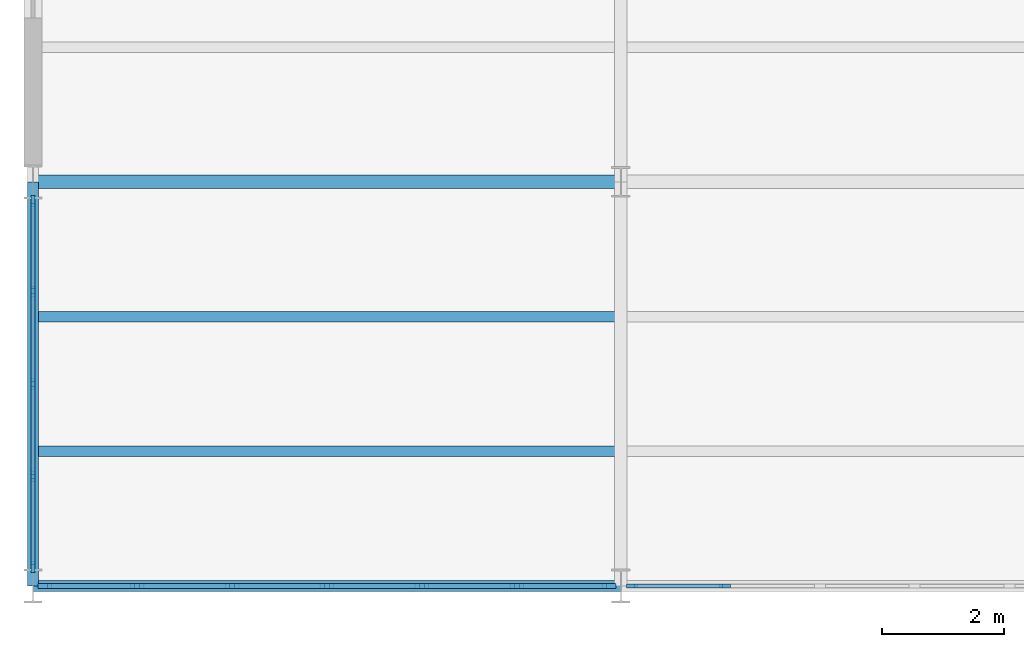
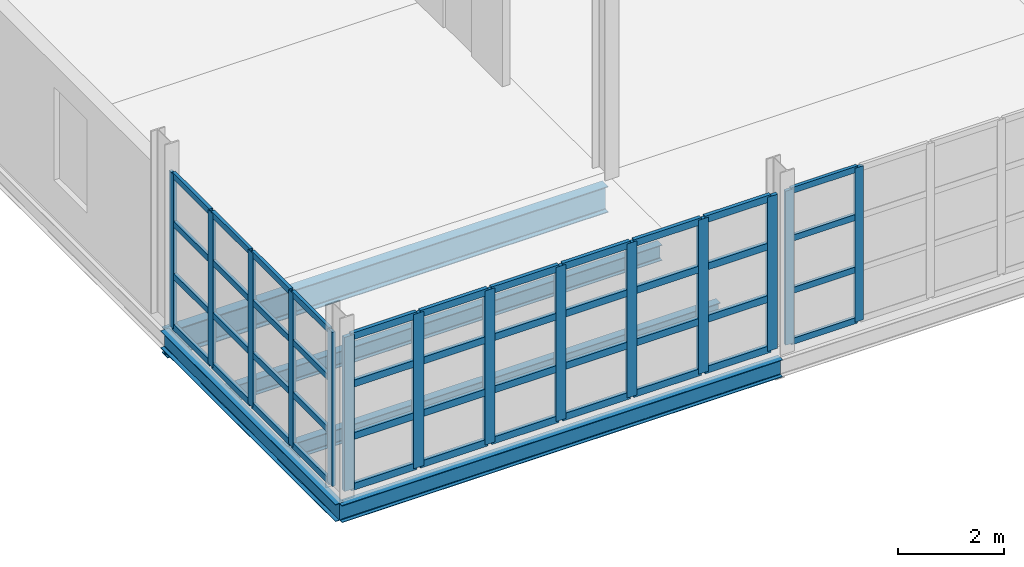
# One storey, part 12 of 82: 58 members, 5 beams, 3 elements without a shape of their own.
"""IFC4 building model written with IfcOpenShell, lengths in metres."""

from ifc_helpers import new_model, si_unit, direction, frame, origin, origin_2d, place, context, subcontext, project, spatial, rectangle, i_section, extrude, material, layer, layer_set, material_profile, profile_set, type_object, element, aggregate, save


model = new_model("IFC4")

# Units and contexts
model_context = context("Model", 3, precision=1e-05, world=origin(), true_north=direction((0.0, 1.0)))
body_context = subcontext(model_context, "Body", "Model", "MODEL_VIEW")
ifc_project = project(units=[si_unit("LENGTHUNIT", "METRE"), si_unit("AREAUNIT", "SQUARE_METRE"), si_unit("VOLUMEUNIT", "CUBIC_METRE"), si_unit("PLANEANGLEUNIT", "RADIAN"), si_unit("MASSUNIT", "GRAM", prefix="KILO")], contexts=[model_context])

# Site, building, storey
site_placement = place(None, origin())
site = spatial("IfcSite", under=ifc_project, at=site_placement, CompositionType="ELEMENT")
building_placement = place(site_placement, origin())
building = spatial("IfcBuilding", under=site, at=building_placement, Name="Zarnetskaya Central Station", CompositionType="ELEMENT")
storey_placement = place(building_placement, frame((0.0, 0.0, 10.199951171875)))
storey = spatial("IfcBuildingStorey", under=building, at=storey_placement, Name="L02", CompositionType="ELEMENT", Elevation=10.199951171875)

# Beams
ifc_material_1 = material(Name="Steel S355", Category="steel")
ifc_material_profile_1 = material_profile(ifc_material_1, i_section(OverallWidth=0.169921875, OverallDepth=0.360107421875, WebThickness=0.008056640625, FlangeThickness=0.0126953125, FilletRadius=0.01806640625, at=origin_2d()), Name="IPE 360")
ifc_profile_set_1 = profile_set([ifc_material_profile_1], Name="Steel S355")
beam_type_1 = type_object("IfcBeamType", Name="BM-SEC-360", PredefinedType="BEAM", material=ifc_profile_set_1)
for number, where, z_axis, x_axis, name in (
    (1, (0.080078125, 2.199951171875, -0.43994140625), (1.0, 0.0, 0.0), (0.0, 1.0, 0.0), "Secondary floor beam SEC-L02-Z994-AB-12-1"),
    (2, (0.080078125, 4.39990234375, -0.43994140625), (1.0, 0.0, 0.0), (0.0, 1.0, 0.0), "Secondary floor beam SEC-L02-Z994-AB-12-2"),
):
    element("IfcBeam", number, at=place(storey_placement, frame(where, z_axis=z_axis, x_axis=x_axis)), inside=storey, type_object=beam_type_1, Name=name, PredefinedType="BEAM", context=body_context, shape_type="SweptSolid", body=[
        extrude(i_section(OverallWidth=0.169921875, OverallDepth=0.360107421875, WebThickness=0.008056640625, FlangeThickness=0.0126953125, FilletRadius=0.01806640625, at=origin_2d()), origin(), (0.0, 0.0, 1.0), 9.43994140625),
    ])
ifc_material_profile_2 = material_profile(ifc_material_1, i_section(OverallWidth=0.179931640625, OverallDepth=0.39990234375, WebThickness=0.008544921875, FlangeThickness=0.013427734375, FilletRadius=0.02099609375, at=origin_2d()), Name="IPE 400")
ifc_profile_set_2 = profile_set([ifc_material_profile_2], Name="Steel S355")
beam_type_2 = type_object("IfcBeamType", Name="BM-SPN-V5", PredefinedType="SPANDREL", material=ifc_profile_set_2)
beam_1_placement = place(storey_placement, frame((0.0, 0.0, -0.4599609375), z_axis=(0.0, 1.0, 0.0), x_axis=(-1.0, 0.0, 0.0)))
element("IfcBeam", 3, at=beam_1_placement, inside=storey, type_object=beam_type_2, Name="Grid girder GY-L02-A-12", PredefinedType="SPANDREL", context=body_context, shape_type="SweptSolid", body=[
    extrude(i_section(OverallWidth=0.179931640625, OverallDepth=0.39990234375, WebThickness=0.008544921875, FlangeThickness=0.013427734375, FilletRadius=0.02099609375, at=origin_2d()), origin(), (0.0, 0.0, 1.0), 6.60009765625),
])
beam_2_placement = place(storey_placement, frame((0.0, 0.0, -0.4599609375), z_axis=(1.0, 0.0, 0.0), x_axis=(0.0, 1.0, 0.0)))
element("IfcBeam", 4, at=beam_2_placement, inside=storey, type_object=beam_type_2, Name="Grid girder GX-L02-1-AB", PredefinedType="SPANDREL", context=body_context, shape_type="SweptSolid", body=[
    extrude(i_section(OverallWidth=0.179931640625, OverallDepth=0.39990234375, WebThickness=0.008544921875, FlangeThickness=0.013427734375, FilletRadius=0.02099609375, at=origin_2d()), origin(), (0.0, 0.0, 1.0), 9.60009765625),
])

# Curtain wall, members
ifc_material_2 = material(Name="Low-E insulated glass", Category="glass")
ifc_layer_1 = layer(ifc_material_2, 0.172119140625, Name="Low-E insulated glass", Category="glass")
ifc_layer_set_1 = layer_set([ifc_layer_1], Name="Low-E insulated glass")
curtain_wall_type_1 = type_object("IfcCurtainWallType", Name="CW-SYS-04", PredefinedType="USERDEFINED", material=ifc_layer_set_1)
curtain_wall_1_placement = place(storey_placement, origin())
curtain_wall_1 = element("IfcCurtainWall", 5, at=curtain_wall_1_placement, inside=storey, type_object=curtain_wall_type_1, Name="Curtain wall CW-L02-015", ObjectType="CURTAIN WALL", PredefinedType="USERDEFINED")
ifc_material_3 = material(Name="Anodised aluminium", Category="aluminium")
ifc_material_profile_3 = material_profile(ifc_material_3, rectangle(XDim=0.070068359375, YDim=0.179931640625, at=origin_2d()), Name="ALU MULL 70x180")
ifc_profile_set_3 = profile_set([ifc_material_profile_3], Name="Anodised aluminium")
member_type_1 = type_object("IfcMemberType", Name="CW-MULL-180", PredefinedType="MULLION", material=ifc_profile_set_3)
member_1_placement = place(storey_placement, frame((0.0, 0.31005859375, 0.0), z_axis=(0.0, 0.0, 1.0), x_axis=(-1.0, 0.0, 0.0)))
member_1 = element("IfcMember", 6, at=member_1_placement, type_object=member_type_1, Name="CW-15 mullion 1", PredefinedType="MULLION", context=body_context, shape_type="SweptSolid", body=[
    extrude(rectangle(XDim=0.070068359375, YDim=0.179931640625, at=origin_2d()), origin(), (0.0, 0.0, 1.0), 3.550048828125),
])
member_2_placement = place(storey_placement, frame((0.0, 1.78759765625, 0.0), z_axis=(0.0, 0.0, 1.0), x_axis=(-1.0, 0.0, 0.0)))
member_2 = element("IfcMember", 7, at=member_2_placement, type_object=member_type_1, Name="CW-15 mullion 2", PredefinedType="MULLION", context=body_context, shape_type="SweptSolid", body=[
    extrude(rectangle(XDim=0.070068359375, YDim=0.179931640625, at=origin_2d()), origin(), (0.0, 0.0, 1.0), 3.550048828125),
])
member_3_placement = place(storey_placement, frame((0.0, 3.300048828125, 0.0), z_axis=(0.0, 0.0, 1.0), x_axis=(-1.0, 0.0, 0.0)))
member_3 = element("IfcMember", 8, at=member_3_placement, type_object=member_type_1, Name="CW-15 mullion 3", PredefinedType="MULLION", context=body_context, shape_type="SweptSolid", body=[
    extrude(rectangle(XDim=0.070068359375, YDim=0.179931640625, at=origin_2d()), origin(), (0.0, 0.0, 1.0), 3.550048828125),
])
member_4_placement = place(storey_placement, frame((0.0, 4.8125, 0.0), z_axis=(0.0, 0.0, 1.0), x_axis=(-1.0, 0.0, 0.0)))
member_4 = element("IfcMember", 9, at=member_4_placement, type_object=member_type_1, Name="CW-15 mullion 4", PredefinedType="MULLION", context=body_context, shape_type="SweptSolid", body=[
    extrude(rectangle(XDim=0.070068359375, YDim=0.179931640625, at=origin_2d()), origin(), (0.0, 0.0, 1.0), 3.550048828125),
])
member_5_placement = place(storey_placement, frame((0.0, 6.2900390625, 0.0), z_axis=(0.0, 0.0, 1.0), x_axis=(-1.0, 0.0, 0.0)))
member_5 = element("IfcMember", 10, at=member_5_placement, type_object=member_type_1, Name="CW-15 mullion 5", PredefinedType="MULLION", context=body_context, shape_type="SweptSolid", body=[
    extrude(rectangle(XDim=0.070068359375, YDim=0.179931640625, at=origin_2d()), origin(), (0.0, 0.0, 1.0), 3.550048828125),
])

ifc_layer_2 = layer(ifc_material_2, 0.1640625, Name="Low-E insulated glass", Category="glass")
ifc_layer_set_2 = layer_set([ifc_layer_2], Name="Low-E insulated glass")
curtain_wall_type_2 = type_object("IfcCurtainWallType", Name="CW-SYS-07", PredefinedType="USERDEFINED", material=ifc_layer_set_2)
curtain_wall_2_placement = place(storey_placement, origin())
curtain_wall_2 = element("IfcCurtainWall", 11, at=curtain_wall_2_placement, inside=storey, type_object=curtain_wall_type_2, Name="Curtain wall CW-L02-029", ObjectType="CURTAIN WALL", PredefinedType="USERDEFINED")
member_6_placement = place(storey_placement, frame((11.300048828125, 0.0, 0.0), z_axis=(0.0, 0.0, 1.0), x_axis=(0.0, -1.0, 0.0)))
member_6 = element("IfcMember", 12, at=member_6_placement, type_object=member_type_1, Name="CW-06 mullion 6", PredefinedType="MULLION", context=body_context, shape_type="SweptSolid", body=[
    extrude(rectangle(XDim=0.070068359375, YDim=0.179931640625, at=origin_2d()), origin(), (0.0, 0.0, 1.0), 3.550048828125),
])
member_7_placement = place(storey_placement, frame((9.784912109375, 0.0, 0.0), z_axis=(0.0, 0.0, 1.0), x_axis=(0.0, -1.0, 0.0)))
member_7 = element("IfcMember", 13, at=member_7_placement, type_object=member_type_1, Name="CW-06 mullion 7", PredefinedType="MULLION", context=body_context, shape_type="SweptSolid", body=[
    extrude(rectangle(XDim=0.070068359375, YDim=0.179931640625, at=origin_2d()), origin(), (0.0, 0.0, 1.0), 3.550048828125),
])

ifc_layer_3 = layer(ifc_material_2, 0.16796875, Name="Low-E insulated glass", Category="glass")
ifc_layer_set_3 = layer_set([ifc_layer_3], Name="Low-E insulated glass")
curtain_wall_type_3 = type_object("IfcCurtainWallType", Name="CW-SYS-08", PredefinedType="USERDEFINED", material=ifc_layer_set_3)
curtain_wall_3_placement = place(storey_placement, origin())
curtain_wall_3 = element("IfcCurtainWall", 14, at=curtain_wall_3_placement, inside=storey, type_object=curtain_wall_type_3, Name="Curtain wall CW-L02-030", ObjectType="CURTAIN WALL", PredefinedType="USERDEFINED")
ifc_material_profile_4 = material_profile(ifc_material_3, rectangle(XDim=0.080078125, YDim=0.219970703125, at=origin_2d()), Name="ALU MULL 80x220")
ifc_profile_set_4 = profile_set([ifc_material_profile_4], Name="Anodised aluminium")
member_type_2 = type_object("IfcMemberType", Name="CW-MULL-220", PredefinedType="MULLION", material=ifc_profile_set_4)
member_8_placement = place(storey_placement, frame((9.409912109375, 0.0, 0.0), z_axis=(0.0, 0.0, 1.0), x_axis=(0.0, -1.0, 0.0)))
member_8 = element("IfcMember", 15, at=member_8_placement, type_object=member_type_2, Name="CW-16 mullion 1", PredefinedType="MULLION", context=body_context, shape_type="SweptSolid", body=[
    extrude(rectangle(XDim=0.080078125, YDim=0.219970703125, at=origin_2d()), origin(), (0.0, 0.0, 1.0), 3.550048828125),
])
member_9_placement = place(storey_placement, frame((7.89990234375, 0.0, 0.0), z_axis=(0.0, 0.0, 1.0), x_axis=(0.0, -1.0, 0.0)))
member_9 = element("IfcMember", 16, at=member_9_placement, type_object=member_type_2, Name="CW-16 mullion 2", PredefinedType="MULLION", context=body_context, shape_type="SweptSolid", body=[
    extrude(rectangle(XDim=0.080078125, YDim=0.219970703125, at=origin_2d()), origin(), (0.0, 0.0, 1.0), 3.550048828125),
])
member_10_placement = place(storey_placement, frame((6.35009765625, 0.0, 0.0), z_axis=(0.0, 0.0, 1.0), x_axis=(0.0, -1.0, 0.0)))
member_10 = element("IfcMember", 17, at=member_10_placement, type_object=member_type_2, Name="CW-16 mullion 3", PredefinedType="MULLION", context=body_context, shape_type="SweptSolid", body=[
    extrude(rectangle(XDim=0.080078125, YDim=0.219970703125, at=origin_2d()), origin(), (0.0, 0.0, 1.0), 3.550048828125),
])
member_11_placement = place(storey_placement, frame((4.800048828125, 0.0, 0.0), z_axis=(0.0, 0.0, 1.0), x_axis=(0.0, -1.0, 0.0)))
member_11 = element("IfcMember", 18, at=member_11_placement, type_object=member_type_2, Name="CW-16 mullion 4", PredefinedType="MULLION", context=body_context, shape_type="SweptSolid", body=[
    extrude(rectangle(XDim=0.080078125, YDim=0.219970703125, at=origin_2d()), origin(), (0.0, 0.0, 1.0), 3.550048828125),
])
member_12_placement = place(storey_placement, frame((3.25, 0.0, 0.0), z_axis=(0.0, 0.0, 1.0), x_axis=(0.0, -1.0, 0.0)))
member_12 = element("IfcMember", 19, at=member_12_placement, type_object=member_type_2, Name="CW-16 mullion 5", PredefinedType="MULLION", context=body_context, shape_type="SweptSolid", body=[
    extrude(rectangle(XDim=0.080078125, YDim=0.219970703125, at=origin_2d()), origin(), (0.0, 0.0, 1.0), 3.550048828125),
])
member_13_placement = place(storey_placement, frame((1.699951171875, 0.0, 0.0), z_axis=(0.0, 0.0, 1.0), x_axis=(0.0, -1.0, 0.0)))
member_13 = element("IfcMember", 20, at=member_13_placement, type_object=member_type_2, Name="CW-16 mullion 6", PredefinedType="MULLION", context=body_context, shape_type="SweptSolid", body=[
    extrude(rectangle(XDim=0.080078125, YDim=0.219970703125, at=origin_2d()), origin(), (0.0, 0.0, 1.0), 3.550048828125),
])
member_14_placement = place(storey_placement, frame((0.18994140625, 0.0, 0.0), z_axis=(0.0, 0.0, 1.0), x_axis=(0.0, -1.0, 0.0)))
member_14 = element("IfcMember", 21, at=member_14_placement, type_object=member_type_2, Name="CW-16 mullion 7", PredefinedType="MULLION", context=body_context, shape_type="SweptSolid", body=[
    extrude(rectangle(XDim=0.080078125, YDim=0.219970703125, at=origin_2d()), origin(), (0.0, 0.0, 1.0), 3.550048828125),
])

# Member
ifc_material_profile_5 = material_profile(ifc_material_3, rectangle(XDim=0.070068359375, YDim=0.139892578125, at=origin_2d()), Name="ALU TRAN 70x140")
ifc_profile_set_5 = profile_set([ifc_material_profile_5], Name="Anodised aluminium")
member_type_3 = type_object("IfcMemberType", Name="CW-TRAN-140", PredefinedType="USERDEFINED", material=ifc_profile_set_5)
member_15_placement = place(storey_placement, frame((0.0, 0.344970703125, 0.03515625), z_axis=(0.0, 1.0, 0.0), x_axis=(-1.0, 0.0, 0.0)))
member_15 = element("IfcMember", 22, at=member_15_placement, type_object=member_type_3, Name="CW-15 transom 1.1", ObjectType="TRANSOM", PredefinedType="USERDEFINED", context=body_context, shape_type="SweptSolid", body=[
    extrude(rectangle(XDim=0.070068359375, YDim=0.139892578125, at=origin_2d()), origin(), (0.0, 0.0, 1.0), 1.407470703125),
])

member_16_placement = place(storey_placement, frame((0.0, 0.344970703125, 1.20703125), z_axis=(0.0, 1.0, 0.0), x_axis=(-1.0, 0.0, 0.0)))
member_16 = element("IfcMember", 23, at=member_16_placement, type_object=member_type_3, Name="CW-15 transom 1.2", ObjectType="TRANSOM", PredefinedType="USERDEFINED", context=body_context, shape_type="SweptSolid", body=[
    extrude(rectangle(XDim=0.070068359375, YDim=0.139892578125, at=origin_2d()), origin(), (0.0, 0.0, 1.0), 1.407470703125),
])

member_17_placement = place(storey_placement, frame((0.0, 0.344970703125, 2.4140625), z_axis=(0.0, 1.0, 0.0), x_axis=(-1.0, 0.0, 0.0)))
member_17 = element("IfcMember", 24, at=member_17_placement, type_object=member_type_3, Name="CW-15 transom 1.3", ObjectType="TRANSOM", PredefinedType="USERDEFINED", context=body_context, shape_type="SweptSolid", body=[
    extrude(rectangle(XDim=0.070068359375, YDim=0.139892578125, at=origin_2d()), origin(), (0.0, 0.0, 1.0), 1.407470703125),
])

member_18_placement = place(storey_placement, frame((0.0, 0.344970703125, 3.51513671875), z_axis=(0.0, 1.0, 0.0), x_axis=(-1.0, 0.0, 0.0)))
member_18 = element("IfcMember", 25, at=member_18_placement, type_object=member_type_3, Name="CW-15 transom 1.4", ObjectType="TRANSOM", PredefinedType="USERDEFINED", context=body_context, shape_type="SweptSolid", body=[
    extrude(rectangle(XDim=0.070068359375, YDim=0.139892578125, at=origin_2d()), origin(), (0.0, 0.0, 1.0), 1.407470703125),
])

member_19_placement = place(storey_placement, frame((0.0, 1.822509765625, 0.03515625), z_axis=(0.0, 1.0, 0.0), x_axis=(-1.0, 0.0, 0.0)))
member_19 = element("IfcMember", 26, at=member_19_placement, type_object=member_type_3, Name="CW-15 transom 2.1", ObjectType="TRANSOM", PredefinedType="USERDEFINED", context=body_context, shape_type="SweptSolid", body=[
    extrude(rectangle(XDim=0.070068359375, YDim=0.139892578125, at=origin_2d()), origin(), (0.0, 0.0, 1.0), 1.4423828125),
])

member_20_placement = place(storey_placement, frame((0.0, 1.822509765625, 1.20703125), z_axis=(0.0, 1.0, 0.0), x_axis=(-1.0, 0.0, 0.0)))
member_20 = element("IfcMember", 27, at=member_20_placement, type_object=member_type_3, Name="CW-15 transom 2.2", ObjectType="TRANSOM", PredefinedType="USERDEFINED", context=body_context, shape_type="SweptSolid", body=[
    extrude(rectangle(XDim=0.070068359375, YDim=0.139892578125, at=origin_2d()), origin(), (0.0, 0.0, 1.0), 1.4423828125),
])

member_21_placement = place(storey_placement, frame((0.0, 1.822509765625, 2.4140625), z_axis=(0.0, 1.0, 0.0), x_axis=(-1.0, 0.0, 0.0)))
member_21 = element("IfcMember", 28, at=member_21_placement, type_object=member_type_3, Name="CW-15 transom 2.3", ObjectType="TRANSOM", PredefinedType="USERDEFINED", context=body_context, shape_type="SweptSolid", body=[
    extrude(rectangle(XDim=0.070068359375, YDim=0.139892578125, at=origin_2d()), origin(), (0.0, 0.0, 1.0), 1.4423828125),
])

member_22_placement = place(storey_placement, frame((0.0, 1.822509765625, 3.51513671875), z_axis=(0.0, 1.0, 0.0), x_axis=(-1.0, 0.0, 0.0)))
member_22 = element("IfcMember", 29, at=member_22_placement, type_object=member_type_3, Name="CW-15 transom 2.4", ObjectType="TRANSOM", PredefinedType="USERDEFINED", context=body_context, shape_type="SweptSolid", body=[
    extrude(rectangle(XDim=0.070068359375, YDim=0.139892578125, at=origin_2d()), origin(), (0.0, 0.0, 1.0), 1.4423828125),
])

member_23_placement = place(storey_placement, frame((0.0, 3.3349609375, 0.03515625), z_axis=(0.0, 1.0, 0.0), x_axis=(-1.0, 0.0, 0.0)))
member_23 = element("IfcMember", 30, at=member_23_placement, type_object=member_type_3, Name="CW-15 transom 3.1", ObjectType="TRANSOM", PredefinedType="USERDEFINED", context=body_context, shape_type="SweptSolid", body=[
    extrude(rectangle(XDim=0.070068359375, YDim=0.139892578125, at=origin_2d()), origin(), (0.0, 0.0, 1.0), 1.442626953125),
])

member_24_placement = place(storey_placement, frame((0.0, 3.3349609375, 1.20703125), z_axis=(0.0, 1.0, 0.0), x_axis=(-1.0, 0.0, 0.0)))
member_24 = element("IfcMember", 31, at=member_24_placement, type_object=member_type_3, Name="CW-15 transom 3.2", ObjectType="TRANSOM", PredefinedType="USERDEFINED", context=body_context, shape_type="SweptSolid", body=[
    extrude(rectangle(XDim=0.070068359375, YDim=0.139892578125, at=origin_2d()), origin(), (0.0, 0.0, 1.0), 1.442626953125),
])

member_25_placement = place(storey_placement, frame((0.0, 3.3349609375, 2.4140625), z_axis=(0.0, 1.0, 0.0), x_axis=(-1.0, 0.0, 0.0)))
member_25 = element("IfcMember", 32, at=member_25_placement, type_object=member_type_3, Name="CW-15 transom 3.3", ObjectType="TRANSOM", PredefinedType="USERDEFINED", context=body_context, shape_type="SweptSolid", body=[
    extrude(rectangle(XDim=0.070068359375, YDim=0.139892578125, at=origin_2d()), origin(), (0.0, 0.0, 1.0), 1.442626953125),
])

member_26_placement = place(storey_placement, frame((0.0, 3.3349609375, 3.51513671875), z_axis=(0.0, 1.0, 0.0), x_axis=(-1.0, 0.0, 0.0)))
member_26 = element("IfcMember", 33, at=member_26_placement, type_object=member_type_3, Name="CW-15 transom 3.4", ObjectType="TRANSOM", PredefinedType="USERDEFINED", context=body_context, shape_type="SweptSolid", body=[
    extrude(rectangle(XDim=0.070068359375, YDim=0.139892578125, at=origin_2d()), origin(), (0.0, 0.0, 1.0), 1.442626953125),
])

member_27_placement = place(storey_placement, frame((0.0, 4.847412109375, 0.03515625), z_axis=(0.0, 1.0, 0.0), x_axis=(-1.0, 0.0, 0.0)))
member_27 = element("IfcMember", 34, at=member_27_placement, type_object=member_type_3, Name="CW-15 transom 4.1", ObjectType="TRANSOM", PredefinedType="USERDEFINED", context=body_context, shape_type="SweptSolid", body=[
    extrude(rectangle(XDim=0.070068359375, YDim=0.139892578125, at=origin_2d()), origin(), (0.0, 0.0, 1.0), 1.407470703125),
])

member_28_placement = place(storey_placement, frame((0.0, 4.847412109375, 1.20703125), z_axis=(0.0, 1.0, 0.0), x_axis=(-1.0, 0.0, 0.0)))
member_28 = element("IfcMember", 35, at=member_28_placement, type_object=member_type_3, Name="CW-15 transom 4.2", ObjectType="TRANSOM", PredefinedType="USERDEFINED", context=body_context, shape_type="SweptSolid", body=[
    extrude(rectangle(XDim=0.070068359375, YDim=0.139892578125, at=origin_2d()), origin(), (0.0, 0.0, 1.0), 1.407470703125),
])

member_29_placement = place(storey_placement, frame((0.0, 4.847412109375, 2.4140625), z_axis=(0.0, 1.0, 0.0), x_axis=(-1.0, 0.0, 0.0)))
member_29 = element("IfcMember", 36, at=member_29_placement, type_object=member_type_3, Name="CW-15 transom 4.3", ObjectType="TRANSOM", PredefinedType="USERDEFINED", context=body_context, shape_type="SweptSolid", body=[
    extrude(rectangle(XDim=0.070068359375, YDim=0.139892578125, at=origin_2d()), origin(), (0.0, 0.0, 1.0), 1.407470703125),
])

member_30_placement = place(storey_placement, frame((0.0, 4.847412109375, 3.51513671875), z_axis=(0.0, 1.0, 0.0), x_axis=(-1.0, 0.0, 0.0)))
member_30 = element("IfcMember", 37, at=member_30_placement, type_object=member_type_3, Name="CW-15 transom 4.4", ObjectType="TRANSOM", PredefinedType="USERDEFINED", context=body_context, shape_type="SweptSolid", body=[
    extrude(rectangle(XDim=0.070068359375, YDim=0.139892578125, at=origin_2d()), origin(), (0.0, 0.0, 1.0), 1.407470703125),
])

aggregate(curtain_wall_1, [member_1, member_2, member_3, member_4, member_5, member_15, member_16, member_17, member_18, member_19, member_20, member_21, member_22, member_23, member_24, member_25, member_26, member_27, member_28, member_29, member_30])

member_31_placement = place(storey_placement, frame((11.264892578125, 0.0, 0.03515625), z_axis=(-1.0, 0.0, 0.0), x_axis=(0.0, -1.0, 0.0)))
member_31 = element("IfcMember", 38, at=member_31_placement, type_object=member_type_3, Name="CW-06 transom 6.1", ObjectType="TRANSOM", PredefinedType="USERDEFINED", context=body_context, shape_type="SweptSolid", body=[
    extrude(rectangle(XDim=0.070068359375, YDim=0.139892578125, at=origin_2d()), origin(), (0.0, 0.0, 1.0), 1.44482421875),
])

member_32_placement = place(storey_placement, frame((11.264892578125, 0.0, 1.20703125), z_axis=(-1.0, 0.0, 0.0), x_axis=(0.0, -1.0, 0.0)))
member_32 = element("IfcMember", 39, at=member_32_placement, type_object=member_type_3, Name="CW-06 transom 6.2", ObjectType="TRANSOM", PredefinedType="USERDEFINED", context=body_context, shape_type="SweptSolid", body=[
    extrude(rectangle(XDim=0.070068359375, YDim=0.139892578125, at=origin_2d()), origin(), (0.0, 0.0, 1.0), 1.44482421875),
])

member_33_placement = place(storey_placement, frame((11.264892578125, 0.0, 2.4140625), z_axis=(-1.0, 0.0, 0.0), x_axis=(0.0, -1.0, 0.0)))
member_33 = element("IfcMember", 40, at=member_33_placement, type_object=member_type_3, Name="CW-06 transom 6.3", ObjectType="TRANSOM", PredefinedType="USERDEFINED", context=body_context, shape_type="SweptSolid", body=[
    extrude(rectangle(XDim=0.070068359375, YDim=0.139892578125, at=origin_2d()), origin(), (0.0, 0.0, 1.0), 1.44482421875),
])

member_34_placement = place(storey_placement, frame((11.264892578125, 0.0, 3.51513671875), z_axis=(-1.0, 0.0, 0.0), x_axis=(0.0, -1.0, 0.0)))
member_34 = element("IfcMember", 41, at=member_34_placement, type_object=member_type_3, Name="CW-06 transom 6.4", ObjectType="TRANSOM", PredefinedType="USERDEFINED", context=body_context, shape_type="SweptSolid", body=[
    extrude(rectangle(XDim=0.070068359375, YDim=0.139892578125, at=origin_2d()), origin(), (0.0, 0.0, 1.0), 1.44482421875),
])

aggregate(curtain_wall_2, [member_6, member_7, member_31, member_32, member_33, member_34])

ifc_material_profile_6 = material_profile(ifc_material_3, rectangle(XDim=0.080078125, YDim=0.159912109375, at=origin_2d()), Name="ALU TRAN 80x160")
ifc_profile_set_6 = profile_set([ifc_material_profile_6], Name="Anodised aluminium")
member_type_4 = type_object("IfcMemberType", Name="CW-TRAN-160", PredefinedType="USERDEFINED", material=ifc_profile_set_6)
member_35_placement = place(storey_placement, frame((9.3701171875, 0.0, 0.0400390625), z_axis=(-1.0, 0.0, 0.0), x_axis=(0.0, -1.0, 0.0)))
member_35 = element("IfcMember", 42, at=member_35_placement, type_object=member_type_4, Name="CW-16 transom 1.1", ObjectType="TRANSOM", PredefinedType="USERDEFINED", context=body_context, shape_type="SweptSolid", body=[
    extrude(rectangle(XDim=0.080078125, YDim=0.159912109375, at=origin_2d()), origin(), (0.0, 0.0, 1.0), 1.43017578125),
])

member_36_placement = place(storey_placement, frame((9.3701171875, 0.0, 1.20703125), z_axis=(-1.0, 0.0, 0.0), x_axis=(0.0, -1.0, 0.0)))
member_36 = element("IfcMember", 43, at=member_36_placement, type_object=member_type_4, Name="CW-16 transom 1.2", ObjectType="TRANSOM", PredefinedType="USERDEFINED", context=body_context, shape_type="SweptSolid", body=[
    extrude(rectangle(XDim=0.080078125, YDim=0.159912109375, at=origin_2d()), origin(), (0.0, 0.0, 1.0), 1.43017578125),
])

member_37_placement = place(storey_placement, frame((9.3701171875, 0.0, 2.4140625), z_axis=(-1.0, 0.0, 0.0), x_axis=(0.0, -1.0, 0.0)))
member_37 = element("IfcMember", 44, at=member_37_placement, type_object=member_type_4, Name="CW-16 transom 1.3", ObjectType="TRANSOM", PredefinedType="USERDEFINED", context=body_context, shape_type="SweptSolid", body=[
    extrude(rectangle(XDim=0.080078125, YDim=0.159912109375, at=origin_2d()), origin(), (0.0, 0.0, 1.0), 1.43017578125),
])

member_38_placement = place(storey_placement, frame((9.3701171875, 0.0, 3.510009765625), z_axis=(-1.0, 0.0, 0.0), x_axis=(0.0, -1.0, 0.0)))
member_38 = element("IfcMember", 45, at=member_38_placement, type_object=member_type_4, Name="CW-16 transom 1.4", ObjectType="TRANSOM", PredefinedType="USERDEFINED", context=body_context, shape_type="SweptSolid", body=[
    extrude(rectangle(XDim=0.080078125, YDim=0.159912109375, at=origin_2d()), origin(), (0.0, 0.0, 1.0), 1.43017578125),
])

member_39_placement = place(storey_placement, frame((7.860107421875, 0.0, 0.0400390625), z_axis=(-1.0, 0.0, 0.0), x_axis=(0.0, -1.0, 0.0)))
member_39 = element("IfcMember", 46, at=member_39_placement, type_object=member_type_4, Name="CW-16 transom 2.1", ObjectType="TRANSOM", PredefinedType="USERDEFINED", context=body_context, shape_type="SweptSolid", body=[
    extrude(rectangle(XDim=0.080078125, YDim=0.159912109375, at=origin_2d()), origin(), (0.0, 0.0, 1.0), 1.47021484375),
])

member_40_placement = place(storey_placement, frame((7.860107421875, 0.0, 1.20703125), z_axis=(-1.0, 0.0, 0.0), x_axis=(0.0, -1.0, 0.0)))
member_40 = element("IfcMember", 47, at=member_40_placement, type_object=member_type_4, Name="CW-16 transom 2.2", ObjectType="TRANSOM", PredefinedType="USERDEFINED", context=body_context, shape_type="SweptSolid", body=[
    extrude(rectangle(XDim=0.080078125, YDim=0.159912109375, at=origin_2d()), origin(), (0.0, 0.0, 1.0), 1.47021484375),
])

member_41_placement = place(storey_placement, frame((7.860107421875, 0.0, 2.4140625), z_axis=(-1.0, 0.0, 0.0), x_axis=(0.0, -1.0, 0.0)))
member_41 = element("IfcMember", 48, at=member_41_placement, type_object=member_type_4, Name="CW-16 transom 2.3", ObjectType="TRANSOM", PredefinedType="USERDEFINED", context=body_context, shape_type="SweptSolid", body=[
    extrude(rectangle(XDim=0.080078125, YDim=0.159912109375, at=origin_2d()), origin(), (0.0, 0.0, 1.0), 1.47021484375),
])

member_42_placement = place(storey_placement, frame((7.860107421875, 0.0, 3.510009765625), z_axis=(-1.0, 0.0, 0.0), x_axis=(0.0, -1.0, 0.0)))
member_42 = element("IfcMember", 49, at=member_42_placement, type_object=member_type_4, Name="CW-16 transom 2.4", ObjectType="TRANSOM", PredefinedType="USERDEFINED", context=body_context, shape_type="SweptSolid", body=[
    extrude(rectangle(XDim=0.080078125, YDim=0.159912109375, at=origin_2d()), origin(), (0.0, 0.0, 1.0), 1.47021484375),
])

member_43_placement = place(storey_placement, frame((6.31005859375, 0.0, 0.0400390625), z_axis=(-1.0, 0.0, 0.0), x_axis=(0.0, -1.0, 0.0)))
member_43 = element("IfcMember", 50, at=member_43_placement, type_object=member_type_4, Name="CW-16 transom 3.1", ObjectType="TRANSOM", PredefinedType="USERDEFINED", context=body_context, shape_type="SweptSolid", body=[
    extrude(rectangle(XDim=0.080078125, YDim=0.159912109375, at=origin_2d()), origin(), (0.0, 0.0, 1.0), 1.469970703125),
])

member_44_placement = place(storey_placement, frame((6.31005859375, 0.0, 1.20703125), z_axis=(-1.0, 0.0, 0.0), x_axis=(0.0, -1.0, 0.0)))
member_44 = element("IfcMember", 51, at=member_44_placement, type_object=member_type_4, Name="CW-16 transom 3.2", ObjectType="TRANSOM", PredefinedType="USERDEFINED", context=body_context, shape_type="SweptSolid", body=[
    extrude(rectangle(XDim=0.080078125, YDim=0.159912109375, at=origin_2d()), origin(), (0.0, 0.0, 1.0), 1.469970703125),
])

member_45_placement = place(storey_placement, frame((6.31005859375, 0.0, 2.4140625), z_axis=(-1.0, 0.0, 0.0), x_axis=(0.0, -1.0, 0.0)))
member_45 = element("IfcMember", 52, at=member_45_placement, type_object=member_type_4, Name="CW-16 transom 3.3", ObjectType="TRANSOM", PredefinedType="USERDEFINED", context=body_context, shape_type="SweptSolid", body=[
    extrude(rectangle(XDim=0.080078125, YDim=0.159912109375, at=origin_2d()), origin(), (0.0, 0.0, 1.0), 1.469970703125),
])

member_46_placement = place(storey_placement, frame((6.31005859375, 0.0, 3.510009765625), z_axis=(-1.0, 0.0, 0.0), x_axis=(0.0, -1.0, 0.0)))
member_46 = element("IfcMember", 53, at=member_46_placement, type_object=member_type_4, Name="CW-16 transom 3.4", ObjectType="TRANSOM", PredefinedType="USERDEFINED", context=body_context, shape_type="SweptSolid", body=[
    extrude(rectangle(XDim=0.080078125, YDim=0.159912109375, at=origin_2d()), origin(), (0.0, 0.0, 1.0), 1.469970703125),
])

member_47_placement = place(storey_placement, frame((4.760009765625, 0.0, 0.0400390625), z_axis=(-1.0, 0.0, 0.0), x_axis=(0.0, -1.0, 0.0)))
member_47 = element("IfcMember", 54, at=member_47_placement, type_object=member_type_4, Name="CW-16 transom 4.1", ObjectType="TRANSOM", PredefinedType="USERDEFINED", context=body_context, shape_type="SweptSolid", body=[
    extrude(rectangle(XDim=0.080078125, YDim=0.159912109375, at=origin_2d()), origin(), (0.0, 0.0, 1.0), 1.469970703125),
])

member_48_placement = place(storey_placement, frame((4.760009765625, 0.0, 1.20703125), z_axis=(-1.0, 0.0, 0.0), x_axis=(0.0, -1.0, 0.0)))
member_48 = element("IfcMember", 55, at=member_48_placement, type_object=member_type_4, Name="CW-16 transom 4.2", ObjectType="TRANSOM", PredefinedType="USERDEFINED", context=body_context, shape_type="SweptSolid", body=[
    extrude(rectangle(XDim=0.080078125, YDim=0.159912109375, at=origin_2d()), origin(), (0.0, 0.0, 1.0), 1.469970703125),
])

member_49_placement = place(storey_placement, frame((4.760009765625, 0.0, 2.4140625), z_axis=(-1.0, 0.0, 0.0), x_axis=(0.0, -1.0, 0.0)))
member_49 = element("IfcMember", 56, at=member_49_placement, type_object=member_type_4, Name="CW-16 transom 4.3", ObjectType="TRANSOM", PredefinedType="USERDEFINED", context=body_context, shape_type="SweptSolid", body=[
    extrude(rectangle(XDim=0.080078125, YDim=0.159912109375, at=origin_2d()), origin(), (0.0, 0.0, 1.0), 1.469970703125),
])

member_50_placement = place(storey_placement, frame((4.760009765625, 0.0, 3.510009765625), z_axis=(-1.0, 0.0, 0.0), x_axis=(0.0, -1.0, 0.0)))
member_50 = element("IfcMember", 57, at=member_50_placement, type_object=member_type_4, Name="CW-16 transom 4.4", ObjectType="TRANSOM", PredefinedType="USERDEFINED", context=body_context, shape_type="SweptSolid", body=[
    extrude(rectangle(XDim=0.080078125, YDim=0.159912109375, at=origin_2d()), origin(), (0.0, 0.0, 1.0), 1.469970703125),
])

member_51_placement = place(storey_placement, frame((3.2099609375, 0.0, 0.0400390625), z_axis=(-1.0, 0.0, 0.0), x_axis=(0.0, -1.0, 0.0)))
member_51 = element("IfcMember", 58, at=member_51_placement, type_object=member_type_4, Name="CW-16 transom 5.1", ObjectType="TRANSOM", PredefinedType="USERDEFINED", context=body_context, shape_type="SweptSolid", body=[
    extrude(rectangle(XDim=0.080078125, YDim=0.159912109375, at=origin_2d()), origin(), (0.0, 0.0, 1.0), 1.469970703125),
])

member_52_placement = place(storey_placement, frame((3.2099609375, 0.0, 1.20703125), z_axis=(-1.0, 0.0, 0.0), x_axis=(0.0, -1.0, 0.0)))
member_52 = element("IfcMember", 59, at=member_52_placement, type_object=member_type_4, Name="CW-16 transom 5.2", ObjectType="TRANSOM", PredefinedType="USERDEFINED", context=body_context, shape_type="SweptSolid", body=[
    extrude(rectangle(XDim=0.080078125, YDim=0.159912109375, at=origin_2d()), origin(), (0.0, 0.0, 1.0), 1.469970703125),
])

member_53_placement = place(storey_placement, frame((3.2099609375, 0.0, 2.4140625), z_axis=(-1.0, 0.0, 0.0), x_axis=(0.0, -1.0, 0.0)))
member_53 = element("IfcMember", 60, at=member_53_placement, type_object=member_type_4, Name="CW-16 transom 5.3", ObjectType="TRANSOM", PredefinedType="USERDEFINED", context=body_context, shape_type="SweptSolid", body=[
    extrude(rectangle(XDim=0.080078125, YDim=0.159912109375, at=origin_2d()), origin(), (0.0, 0.0, 1.0), 1.469970703125),
])

member_54_placement = place(storey_placement, frame((3.2099609375, 0.0, 3.510009765625), z_axis=(-1.0, 0.0, 0.0), x_axis=(0.0, -1.0, 0.0)))
member_54 = element("IfcMember", 61, at=member_54_placement, type_object=member_type_4, Name="CW-16 transom 5.4", ObjectType="TRANSOM", PredefinedType="USERDEFINED", context=body_context, shape_type="SweptSolid", body=[
    extrude(rectangle(XDim=0.080078125, YDim=0.159912109375, at=origin_2d()), origin(), (0.0, 0.0, 1.0), 1.469970703125),
])

member_55_placement = place(storey_placement, frame((1.659912109375, 0.0, 0.0400390625), z_axis=(-1.0, 0.0, 0.0), x_axis=(0.0, -1.0, 0.0)))
member_55 = element("IfcMember", 62, at=member_55_placement, type_object=member_type_4, Name="CW-16 transom 6.1", ObjectType="TRANSOM", PredefinedType="USERDEFINED", context=body_context, shape_type="SweptSolid", body=[
    extrude(rectangle(XDim=0.080078125, YDim=0.159912109375, at=origin_2d()), origin(), (0.0, 0.0, 1.0), 1.429931640625),
])

member_56_placement = place(storey_placement, frame((1.659912109375, 0.0, 1.20703125), z_axis=(-1.0, 0.0, 0.0), x_axis=(0.0, -1.0, 0.0)))
member_56 = element("IfcMember", 63, at=member_56_placement, type_object=member_type_4, Name="CW-16 transom 6.2", ObjectType="TRANSOM", PredefinedType="USERDEFINED", context=body_context, shape_type="SweptSolid", body=[
    extrude(rectangle(XDim=0.080078125, YDim=0.159912109375, at=origin_2d()), origin(), (0.0, 0.0, 1.0), 1.429931640625),
])

member_57_placement = place(storey_placement, frame((1.659912109375, 0.0, 2.4140625), z_axis=(-1.0, 0.0, 0.0), x_axis=(0.0, -1.0, 0.0)))
member_57 = element("IfcMember", 64, at=member_57_placement, type_object=member_type_4, Name="CW-16 transom 6.3", ObjectType="TRANSOM", PredefinedType="USERDEFINED", context=body_context, shape_type="SweptSolid", body=[
    extrude(rectangle(XDim=0.080078125, YDim=0.159912109375, at=origin_2d()), origin(), (0.0, 0.0, 1.0), 1.429931640625),
])

member_58_placement = place(storey_placement, frame((1.659912109375, 0.0, 3.510009765625), z_axis=(-1.0, 0.0, 0.0), x_axis=(0.0, -1.0, 0.0)))
member_58 = element("IfcMember", 65, at=member_58_placement, type_object=member_type_4, Name="CW-16 transom 6.4", ObjectType="TRANSOM", PredefinedType="USERDEFINED", context=body_context, shape_type="SweptSolid", body=[
    extrude(rectangle(XDim=0.080078125, YDim=0.159912109375, at=origin_2d()), origin(), (0.0, 0.0, 1.0), 1.429931640625),
])

aggregate(curtain_wall_3, [member_8, member_9, member_10, member_11, member_12, member_13, member_14, member_35, member_36, member_37, member_38, member_39, member_40, member_41, member_42, member_43, member_44, member_45, member_46, member_47, member_48, member_49, member_50, member_51, member_52, member_53, member_54, member_55, member_56, member_57, member_58])

# Beam
ifc_material_profile_7 = material_profile(ifc_material_1, i_section(OverallWidth=0.219970703125, OverallDepth=0.60009765625, WebThickness=0.011962890625, FlangeThickness=0.01904296875, FilletRadius=0.02392578125, at=origin_2d()), Name="IPE 600")
ifc_profile_set_7 = profile_set([ifc_material_profile_7], Name="Steel S355")
beam_type_3 = type_object("IfcBeamType", Name="GD-FLR-600", PredefinedType="USERDEFINED", material=ifc_profile_set_7)
beam_3_placement = place(storey_placement, frame((0.0, 6.60009765625, -0.56005859375), z_axis=(1.0, 0.0, 0.0), x_axis=(0.0, 1.0, 0.0)))
element("IfcBeam", 66, at=beam_3_placement, inside=storey, type_object=beam_type_3, Name="Grid girder GX-L02-2-AB", ObjectType="GIRDER", PredefinedType="USERDEFINED", context=body_context, shape_type="SweptSolid", body=[
    extrude(i_section(OverallWidth=0.219970703125, OverallDepth=0.60009765625, WebThickness=0.011962890625, FlangeThickness=0.01904296875, FilletRadius=0.02392578125, at=origin_2d()), origin(), (0.0, 0.0, 1.0), 9.60009765625),
])

save(model, "model.ifc")
